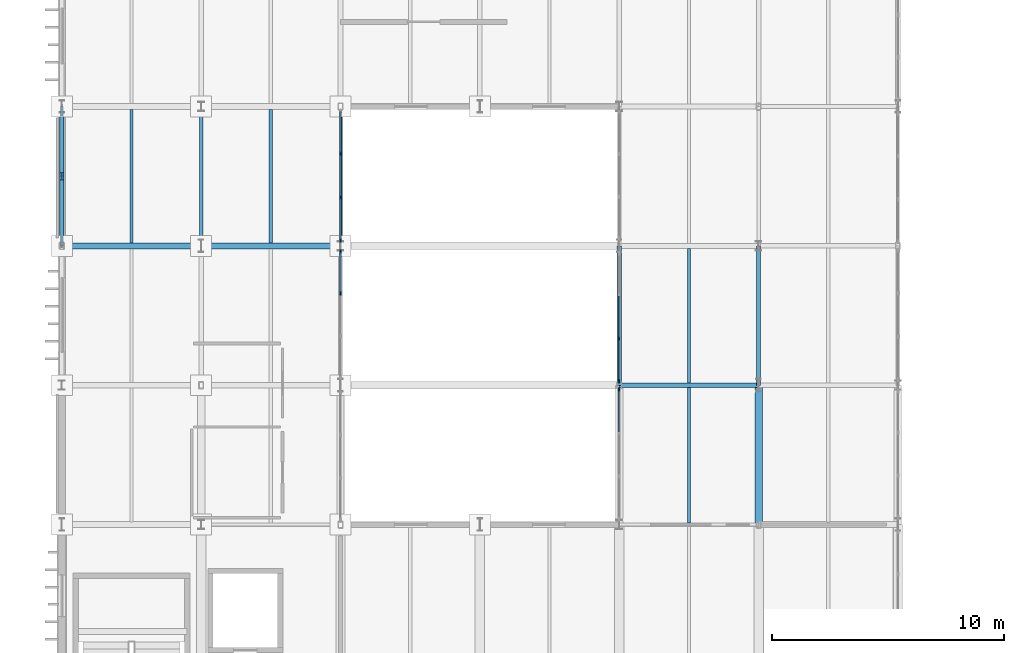
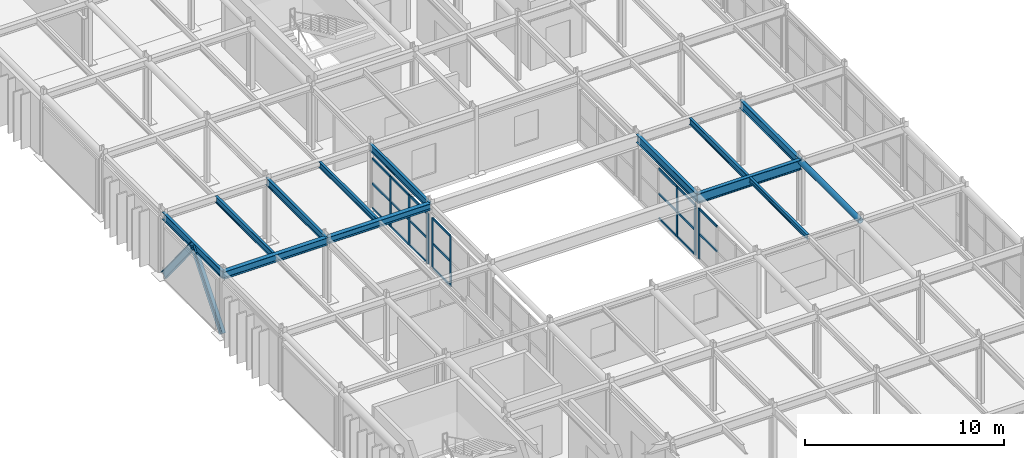
# One storey, part 37 of 116: 30 members, 13 beams, 4 elements without a shape of their own.
"""IFC4 building model written with IfcOpenShell, lengths in metres."""

from ifc_helpers import new_model, si_unit, direction, frame, origin, origin_2d, place, context, subcontext, project, spatial, rectangle, hollow_circle, i_section, extrude, material, material_profile, profile_set, type_object, element, aggregate, save


model = new_model("IFC4")

# Units and contexts
model_context = context("Model", 3, precision=1e-05, world=origin(), true_north=direction((0.0, 1.0)))
body_context = subcontext(model_context, "Body", "Model", "MODEL_VIEW")
ifc_project = project(units=[si_unit("LENGTHUNIT", "METRE"), si_unit("AREAUNIT", "SQUARE_METRE"), si_unit("VOLUMEUNIT", "CUBIC_METRE"), si_unit("PLANEANGLEUNIT", "RADIAN"), si_unit("MASSUNIT", "GRAM", prefix="KILO")], contexts=[model_context])

# Site, building, storey
site_placement = place(None, origin())
site = spatial("IfcSite", under=ifc_project, at=site_placement, CompositionType="ELEMENT")
building_placement = place(site_placement, origin())
building = spatial("IfcBuilding", under=site, at=building_placement, Name="Varnakota Square Police Headquarters", CompositionType="ELEMENT")
storey_placement = place(building_placement, frame((0.0, 0.0, 9.300048828125)))
storey = spatial("IfcBuildingStorey", under=building, at=storey_placement, Name="L02", CompositionType="ELEMENT", Elevation=9.300048828125)

# Beams
ifc_material_1 = material(Name="Steel IS 2062 Grade 350", Category="steel")
ifc_material_profile_1 = material_profile(ifc_material_1, hollow_circle(Radius=0.161865234375, WallThickness=0.0126953125, at=origin_2d()), Name="CHS 323.9x12.7")
ifc_profile_set_1 = profile_set([ifc_material_profile_1], Name="Steel IS 2062 Grade 350")
beam_type_1 = type_object("IfcBeamType", Name="BM-ARC-CHS324", PredefinedType="BEAM", material=ifc_profile_set_1)
beam_1_placement = place(storey_placement, frame((36.0, 39.0, 3.738037109375), z_axis=(0.0, 1.0, 0.0), x_axis=(-1.0, 0.0, 0.0)))
element("IfcBeam", 1, at=beam_1_placement, inside=storey, type_object=beam_type_1, Name="BMG-L02-2174", PredefinedType="BEAM", context=body_context, shape_type="SweptSolid", body=[
    extrude(hollow_circle(Radius=0.161865234375, WallThickness=0.0126953125, at=origin_2d()), origin(), (0.0, 0.0, 1.0), 6.0),
])
ifc_material_profile_2 = material_profile(ifc_material_1, i_section(OverallWidth=0.25, OverallDepth=0.39990234375, WebThickness=0.010498046875, FlangeThickness=0.0126953125, FilletRadius=0.013916015625, at=origin_2d()), Name="ISHB 400")
ifc_profile_set_2 = profile_set([ifc_material_profile_2], Name="Steel IS 2062 Grade 350")
beam_type_2 = type_object("IfcBeamType", Name="BM-ISHB400", PredefinedType="BEAM", material=ifc_profile_set_2)
beam_2_placement = place(storey_placement, frame((12.0, 51.0, 3.699951171875), z_axis=(1.0, 0.0, 0.0), x_axis=(0.0, 1.0, 0.0)))
element("IfcBeam", 2, at=beam_2_placement, inside=storey, type_object=beam_type_2, Name="BMG-L02-1990", PredefinedType="BEAM", context=body_context, shape_type="SweptSolid", body=[
    extrude(i_section(OverallWidth=0.25, OverallDepth=0.39990234375, WebThickness=0.010498046875, FlangeThickness=0.0126953125, FilletRadius=0.013916015625, at=origin_2d()), origin(), (0.0, 0.0, 1.0), 6.0),
])
ifc_material_profile_3 = material_profile(ifc_material_1, i_section(OverallWidth=0.25, OverallDepth=0.449951171875, WebThickness=0.01123046875, FlangeThickness=0.013671875, FilletRadius=0.014892578125, at=origin_2d()), Name="ISHB 450")
ifc_profile_set_3 = profile_set([ifc_material_profile_3], Name="Steel IS 2062 Grade 350")
beam_type_3 = type_object("IfcBeamType", Name="BM-ISHB450", PredefinedType="BEAM", material=ifc_profile_set_3)
beam_3_placement = place(storey_placement, frame((6.0, 51.0, 3.675048828125), z_axis=(1.0, 0.0, 0.0), x_axis=(0.0, 1.0, 0.0)))
element("IfcBeam", 3, at=beam_3_placement, inside=storey, type_object=beam_type_3, Name="BMG-L02-1989", PredefinedType="BEAM", context=body_context, shape_type="SweptSolid", body=[
    extrude(i_section(OverallWidth=0.25, OverallDepth=0.449951171875, WebThickness=0.01123046875, FlangeThickness=0.013671875, FilletRadius=0.014892578125, at=origin_2d()), origin(), (0.0, 0.0, 1.0), 6.0),
])
ifc_material_profile_4 = material_profile(ifc_material_1, i_section(OverallWidth=0.139892578125, OverallDepth=0.300048828125, WebThickness=0.0078125, FlangeThickness=0.01318359375, FilletRadius=0.013916015625, at=origin_2d()), Name="ISMB 300")
ifc_profile_set_4 = profile_set([ifc_material_profile_4], Name="Steel IS 2062 Grade 350")
beam_type_4 = type_object("IfcBeamType", Name="BM-ISMB300", PredefinedType="JOIST", material=ifc_profile_set_4)
beam_4_placement = place(storey_placement, frame((33.0, 39.072998046875, 3.75), z_axis=(0.0, 1.0, 0.0), x_axis=(-1.0, 0.0, 0.0)))
element("IfcBeam", 4, at=beam_4_placement, inside=storey, type_object=beam_type_4, Name="BMG-L02-2351", PredefinedType="JOIST", context=body_context, shape_type="SweptSolid", body=[
    extrude(i_section(OverallWidth=0.139892578125, OverallDepth=0.300048828125, WebThickness=0.0078125, FlangeThickness=0.01318359375, FilletRadius=0.013916015625, at=origin_2d()), origin(), (0.0, 0.0, 1.0), 5.823974609375),
])
ifc_material_profile_5 = material_profile(ifc_material_1, i_section(OverallWidth=0.139892578125, OverallDepth=0.35009765625, WebThickness=0.008056640625, FlangeThickness=0.01416015625, FilletRadius=0.013916015625, at=origin_2d()), Name="ISMB 350")
ifc_profile_set_5 = profile_set([ifc_material_profile_5], Name="Steel IS 2062 Grade 350")
beam_type_5 = type_object("IfcBeamType", Name="BM-ISMB350", PredefinedType="JOIST", material=ifc_profile_set_5)
beam_5_placement = place(storey_placement, frame((15.0, 51.123046875, 3.724853515625), z_axis=(0.0, 1.0, 0.0), x_axis=(-1.0, 0.0, 0.0)))
element("IfcBeam", 5, at=beam_5_placement, inside=storey, type_object=beam_type_5, Name="BMG-L02-2326", PredefinedType="JOIST", context=body_context, shape_type="SweptSolid", body=[
    extrude(i_section(OverallWidth=0.139892578125, OverallDepth=0.35009765625, WebThickness=0.008056640625, FlangeThickness=0.01416015625, FilletRadius=0.013916015625, at=origin_2d()), origin(), (0.0, 0.0, 1.0), 5.75390625),
])
ifc_material_profile_6 = material_profile(ifc_material_1, i_section(OverallWidth=0.139892578125, OverallDepth=0.39990234375, WebThickness=0.0087890625, FlangeThickness=0.01611328125, FilletRadius=0.013916015625, at=origin_2d()), Name="ISMB 400")
ifc_profile_set_6 = profile_set([ifc_material_profile_6], Name="Steel IS 2062 Grade 350")
beam_type_6 = type_object("IfcBeamType", Name="BM-ISMB400", PredefinedType="JOIST", material=ifc_profile_set_6)
beam_6_placement = place(storey_placement, frame((9.0, 51.123046875, 3.699951171875), z_axis=(0.0, 1.0, 0.0), x_axis=(-1.0, 0.0, 0.0)))
element("IfcBeam", 6, at=beam_6_placement, inside=storey, type_object=beam_type_6, Name="BMG-L02-2315", PredefinedType="JOIST", context=body_context, shape_type="SweptSolid", body=[
    extrude(i_section(OverallWidth=0.139892578125, OverallDepth=0.39990234375, WebThickness=0.0087890625, FlangeThickness=0.01611328125, FilletRadius=0.013916015625, at=origin_2d()), origin(), (0.0, 0.0, 1.0), 5.75390625),
])
beam_7_placement = place(storey_placement, frame((33.0, 45.10302734375, 3.699951171875), z_axis=(0.0, 1.0, 0.0), x_axis=(-1.0, 0.0, 0.0)))
element("IfcBeam", 7, at=beam_7_placement, inside=storey, type_object=beam_type_6, Name="BMG-L02-2352", PredefinedType="JOIST", context=body_context, shape_type="SweptSolid", body=[
    extrude(i_section(OverallWidth=0.139892578125, OverallDepth=0.39990234375, WebThickness=0.0087890625, FlangeThickness=0.01611328125, FilletRadius=0.013916015625, at=origin_2d()), origin(), (0.0, 0.0, 1.0), 5.7939453125),
])
ifc_material_profile_7 = material_profile(ifc_material_1, i_section(OverallWidth=0.14990234375, OverallDepth=0.449951171875, WebThickness=0.009521484375, FlangeThickness=0.017333984375, FilletRadius=0.014892578125, at=origin_2d()), Name="ISMB 450")
ifc_profile_set_7 = profile_set([ifc_material_profile_7], Name="Steel IS 2062 Grade 350")
beam_type_7 = type_object("IfcBeamType", Name="BM-ISMB450", PredefinedType="BEAM", material=ifc_profile_set_7)
for number, where, z_axis, x_axis, name in (
    (8, (6.0, 51.0, 3.675048828125), (0.0, 1.0, 0.0), (-1.0, 0.0, 0.0), "BMG-L02-2109"),
    (9, (12.0, 51.0, 3.675048828125), (0.0, 1.0, 0.0), (-1.0, 0.0, 0.0), "BMG-L02-2126"),
    (10, (18.0, 51.0, 3.675048828125), (0.0, 1.0, 0.0), (-1.0, 0.0, 0.0), "BMG-L02-2140"),
):
    element("IfcBeam", number, at=place(storey_placement, frame(where, z_axis=z_axis, x_axis=x_axis)), inside=storey, type_object=beam_type_7, Name=name, PredefinedType="BEAM", context=body_context, shape_type="SweptSolid", body=[
        extrude(i_section(OverallWidth=0.14990234375, OverallDepth=0.449951171875, WebThickness=0.009521484375, FlangeThickness=0.017333984375, FilletRadius=0.014892578125, at=origin_2d()), origin(), (0.0, 0.0, 1.0), 6.0),
    ])
ifc_material_profile_8 = material_profile(ifc_material_1, i_section(OverallWidth=0.179931640625, OverallDepth=0.5, WebThickness=0.01025390625, FlangeThickness=0.01708984375, FilletRadius=0.01708984375, at=origin_2d()), Name="ISMB 500")
ifc_profile_set_8 = profile_set([ifc_material_profile_8], Name="Steel IS 2062 Grade 350")
beam_type_8 = type_object("IfcBeamType", Name="BM-ISMB500", PredefinedType="BEAM", material=ifc_profile_set_8)
for number, where, z_axis, x_axis, name in (
    (11, (30.0, 45.0, 3.64990234375), (0.0, 1.0, 0.0), (-1.0, 0.0, 0.0), "BMG-L02-2161"),
    (12, (36.0, 45.0, 3.64990234375), (0.0, 1.0, 0.0), (-1.0, 0.0, 0.0), "BMG-L02-2175"),
):
    element("IfcBeam", number, at=place(storey_placement, frame(where, z_axis=z_axis, x_axis=x_axis)), inside=storey, type_object=beam_type_8, Name=name, PredefinedType="BEAM", context=body_context, shape_type="SweptSolid", body=[
        extrude(i_section(OverallWidth=0.179931640625, OverallDepth=0.5, WebThickness=0.01025390625, FlangeThickness=0.01708984375, FilletRadius=0.01708984375, at=origin_2d()), origin(), (0.0, 0.0, 1.0), 6.0),
    ])
ifc_material_profile_9 = material_profile(ifc_material_1, i_section(OverallWidth=0.2099609375, OverallDepth=0.60009765625, WebThickness=0.011962890625, FlangeThickness=0.020751953125, FilletRadius=0.02001953125, at=origin_2d()), Name="ISMB 600")
ifc_profile_set_9 = profile_set([ifc_material_profile_9], Name="Steel IS 2062 Grade 350")
beam_type_9 = type_object("IfcBeamType", Name="BM-ISMB600", PredefinedType="BEAM", material=ifc_profile_set_9)
beam_8_placement = place(storey_placement, frame((30.0, 45.0, 3.599853515625), z_axis=(1.0, 0.0, 0.0), x_axis=(0.0, 1.0, 0.0)))
element("IfcBeam", 13, at=beam_8_placement, inside=storey, type_object=beam_type_9, Name="BMG-L02-1984", PredefinedType="BEAM", context=body_context, shape_type="SweptSolid", body=[
    extrude(i_section(OverallWidth=0.2099609375, OverallDepth=0.60009765625, WebThickness=0.011962890625, FlangeThickness=0.020751953125, FilletRadius=0.02001953125, at=origin_2d()), origin(), (0.0, 0.0, 1.0), 6.0),
])

# Curtain wall, member
ifc_material_2 = material(Name="Anodised Aluminium Framing", Category="aluminium")
curtain_wall_type = type_object("IfcCurtainWallType", Name="CW-SYS-F", PredefinedType="NOTDEFINED", material=ifc_material_2)
curtain_wall_1_placement = place(storey_placement, origin())
curtain_wall_1 = element("IfcCurtainWall", 14, at=curtain_wall_1_placement, inside=storey, type_object=curtain_wall_type, Name="Unitised curtain wall CWG-L02-162", PredefinedType="NOTDEFINED")
ifc_material_3 = material(Name="Anodised Aluminium 6063-T6", Category="aluminium")
ifc_material_profile_10 = material_profile(ifc_material_3, rectangle(XDim=0.06494140625, YDim=0.159912109375, at=origin_2d()), Name="ALU MULLION 65x160")
ifc_profile_set_10 = profile_set([ifc_material_profile_10], Name="Anodised Aluminium 6063-T6")
member_type_1 = type_object("IfcMemberType", Name="CWM-150", PredefinedType="MULLION", material=ifc_profile_set_10)
member_1_placement = place(storey_placement, frame((30.0, 44.8125, 0.0), z_axis=(0.0, 0.0, 1.0), x_axis=(-1.0, 0.0, 0.0)))
member_1 = element("IfcMember", 15, at=member_1_placement, type_object=member_type_1, Name="CWG-L02-162 mullion 4", PredefinedType="MULLION", context=body_context, shape_type="SweptSolid", body=[
    extrude(rectangle(XDim=0.06494140625, YDim=0.159912109375, at=origin_2d()), origin(), (0.0, 0.0, 1.0), 3.08984375),
])

# Curtain wall, members
curtain_wall_2_placement = place(storey_placement, origin())
curtain_wall_2 = element("IfcCurtainWall", 16, at=curtain_wall_2_placement, inside=storey, type_object=curtain_wall_type, Name="Unitised curtain wall CWG-L02-163", PredefinedType="NOTDEFINED")
member_2_placement = place(storey_placement, frame((18.0, 48.956787109375, 0.0), z_axis=(0.0, 0.0, 1.0), x_axis=(-1.0, 0.0, 0.0)))
member_2 = element("IfcMember", 17, at=member_2_placement, type_object=member_type_1, Name="CWG-L02-163 mullion 3", PredefinedType="MULLION", context=body_context, shape_type="SweptSolid", body=[
    extrude(rectangle(XDim=0.06494140625, YDim=0.159912109375, at=origin_2d()), origin(), (0.0, 0.0, 1.0), 3.08984375),
])
member_3_placement = place(storey_placement, frame((18.0, 50.762451171875, 0.0), z_axis=(0.0, 0.0, 1.0), x_axis=(-1.0, 0.0, 0.0)))
member_3 = element("IfcMember", 18, at=member_3_placement, type_object=member_type_1, Name="CWG-L02-163 mullion 4", PredefinedType="MULLION", context=body_context, shape_type="SweptSolid", body=[
    extrude(rectangle(XDim=0.06494140625, YDim=0.159912109375, at=origin_2d()), origin(), (0.0, 0.0, 1.0), 3.08984375),
])

curtain_wall_3_placement = place(storey_placement, origin())
curtain_wall_3 = element("IfcCurtainWall", 19, at=curtain_wall_3_placement, inside=storey, type_object=curtain_wall_type, Name="Unitised curtain wall CWG-L02-164", PredefinedType="NOTDEFINED")
member_4_placement = place(storey_placement, frame((30.0, 45.1875, 0.0), z_axis=(0.0, 0.0, 1.0), x_axis=(-1.0, 0.0, 0.0)))
member_4 = element("IfcMember", 20, at=member_4_placement, type_object=member_type_1, Name="CWG-L02-164 mullion 1", PredefinedType="MULLION", context=body_context, shape_type="SweptSolid", body=[
    extrude(rectangle(XDim=0.06494140625, YDim=0.159912109375, at=origin_2d()), origin(), (0.0, 0.0, 1.0), 3.08984375),
])
member_5_placement = place(storey_placement, frame((30.0, 47.010009765625, 0.0), z_axis=(0.0, 0.0, 1.0), x_axis=(-1.0, 0.0, 0.0)))
member_5 = element("IfcMember", 21, at=member_5_placement, type_object=member_type_1, Name="CWG-L02-164 mullion 2", PredefinedType="MULLION", context=body_context, shape_type="SweptSolid", body=[
    extrude(rectangle(XDim=0.06494140625, YDim=0.159912109375, at=origin_2d()), origin(), (0.0, 0.0, 1.0), 3.08984375),
])

curtain_wall_4_placement = place(storey_placement, origin())
curtain_wall_4 = element("IfcCurtainWall", 22, at=curtain_wall_4_placement, inside=storey, type_object=curtain_wall_type, Name="Unitised curtain wall CWG-L02-165", PredefinedType="NOTDEFINED")
member_6_placement = place(storey_placement, frame((18.0, 51.237548828125, 0.0), z_axis=(0.0, 0.0, 1.0), x_axis=(-1.0, 0.0, 0.0)))
member_6 = element("IfcMember", 23, at=member_6_placement, type_object=member_type_1, Name="CWG-L02-165 mullion 1", PredefinedType="MULLION", context=body_context, shape_type="SweptSolid", body=[
    extrude(rectangle(XDim=0.06494140625, YDim=0.159912109375, at=origin_2d()), origin(), (0.0, 0.0, 1.0), 3.08984375),
])
member_7_placement = place(storey_placement, frame((18.0, 53.0849609375, 0.0), z_axis=(0.0, 0.0, 1.0), x_axis=(-1.0, 0.0, 0.0)))
member_7 = element("IfcMember", 24, at=member_7_placement, type_object=member_type_1, Name="CWG-L02-165 mullion 2", PredefinedType="MULLION", context=body_context, shape_type="SweptSolid", body=[
    extrude(rectangle(XDim=0.06494140625, YDim=0.159912109375, at=origin_2d()), origin(), (0.0, 0.0, 1.0), 3.08984375),
])
member_8_placement = place(storey_placement, frame((18.0, 54.965087890625, 0.0), z_axis=(0.0, 0.0, 1.0), x_axis=(-1.0, 0.0, 0.0)))
member_8 = element("IfcMember", 25, at=member_8_placement, type_object=member_type_1, Name="CWG-L02-165 mullion 3", PredefinedType="MULLION", context=body_context, shape_type="SweptSolid", body=[
    extrude(rectangle(XDim=0.06494140625, YDim=0.159912109375, at=origin_2d()), origin(), (0.0, 0.0, 1.0), 3.08984375),
])

# Member
ifc_material_profile_11 = material_profile(ifc_material_3, rectangle(XDim=0.06494140625, YDim=0.1298828125, at=origin_2d()), Name="ALU TRANSOM 65x130")
ifc_profile_set_11 = profile_set([ifc_material_profile_11], Name="Anodised Aluminium 6063-T6")
member_type_2 = type_object("IfcMemberType", Name="CWT-120", PredefinedType="USERDEFINED", material=ifc_profile_set_11)
member_9_placement = place(storey_placement, frame((30.0, 42.99755859375, 1.544921875), z_axis=(0.0, 1.0, 0.0), x_axis=(-1.0, 0.0, 0.0)))
member_9 = element("IfcMember", 26, at=member_9_placement, type_object=member_type_2, Name="CWG-L02-162 transom 3.2", ObjectType="TRANSOM", PredefinedType="USERDEFINED", context=body_context, shape_type="SweptSolid", body=[
    extrude(rectangle(XDim=0.06494140625, YDim=0.1298828125, at=origin_2d()), origin(), (0.0, 0.0, 1.0), 1.782470703125),
])

member_10_placement = place(storey_placement, frame((30.0, 42.99755859375, 3.057373046875), z_axis=(0.0, 1.0, 0.0), x_axis=(-1.0, 0.0, 0.0)))
member_10 = element("IfcMember", 27, at=member_10_placement, type_object=member_type_2, Name="CWG-L02-162 transom 3.3", ObjectType="TRANSOM", PredefinedType="USERDEFINED", context=body_context, shape_type="SweptSolid", body=[
    extrude(rectangle(XDim=0.06494140625, YDim=0.1298828125, at=origin_2d()), origin(), (0.0, 0.0, 1.0), 1.782470703125),
])

aggregate(curtain_wall_1, [member_1, member_9, member_10])

member_11_placement = place(storey_placement, frame((18.0, 48.9892578125, 0.032470703125), z_axis=(0.0, 1.0, 0.0), x_axis=(-1.0, 0.0, 0.0)))
member_11 = element("IfcMember", 28, at=member_11_placement, type_object=member_type_2, Name="CWG-L02-163 transom 3.1", ObjectType="TRANSOM", PredefinedType="USERDEFINED", context=body_context, shape_type="SweptSolid", body=[
    extrude(rectangle(XDim=0.06494140625, YDim=0.1298828125, at=origin_2d()), origin(), (0.0, 0.0, 1.0), 1.74072265625),
])

member_12_placement = place(storey_placement, frame((18.0, 48.9892578125, 1.544921875), z_axis=(0.0, 1.0, 0.0), x_axis=(-1.0, 0.0, 0.0)))
member_12 = element("IfcMember", 29, at=member_12_placement, type_object=member_type_2, Name="CWG-L02-163 transom 3.2", ObjectType="TRANSOM", PredefinedType="USERDEFINED", context=body_context, shape_type="SweptSolid", body=[
    extrude(rectangle(XDim=0.06494140625, YDim=0.1298828125, at=origin_2d()), origin(), (0.0, 0.0, 1.0), 1.74072265625),
])

member_13_placement = place(storey_placement, frame((18.0, 48.9892578125, 3.057373046875), z_axis=(0.0, 1.0, 0.0), x_axis=(-1.0, 0.0, 0.0)))
member_13 = element("IfcMember", 30, at=member_13_placement, type_object=member_type_2, Name="CWG-L02-163 transom 3.3", ObjectType="TRANSOM", PredefinedType="USERDEFINED", context=body_context, shape_type="SweptSolid", body=[
    extrude(rectangle(XDim=0.06494140625, YDim=0.1298828125, at=origin_2d()), origin(), (0.0, 0.0, 1.0), 1.74072265625),
])

aggregate(curtain_wall_2, [member_2, member_3, member_11, member_12, member_13])

member_14_placement = place(storey_placement, frame((30.0, 45.219970703125, 0.032470703125), z_axis=(0.0, 1.0, 0.0), x_axis=(-1.0, 0.0, 0.0)))
member_14 = element("IfcMember", 31, at=member_14_placement, type_object=member_type_2, Name="CWG-L02-164 transom 1.1", ObjectType="TRANSOM", PredefinedType="USERDEFINED", context=body_context, shape_type="SweptSolid", body=[
    extrude(rectangle(XDim=0.06494140625, YDim=0.1298828125, at=origin_2d()), origin(), (0.0, 0.0, 1.0), 1.757568359375),
])

member_15_placement = place(storey_placement, frame((30.0, 45.219970703125, 1.544921875), z_axis=(0.0, 1.0, 0.0), x_axis=(-1.0, 0.0, 0.0)))
member_15 = element("IfcMember", 32, at=member_15_placement, type_object=member_type_2, Name="CWG-L02-164 transom 1.2", ObjectType="TRANSOM", PredefinedType="USERDEFINED", context=body_context, shape_type="SweptSolid", body=[
    extrude(rectangle(XDim=0.06494140625, YDim=0.1298828125, at=origin_2d()), origin(), (0.0, 0.0, 1.0), 1.757568359375),
])

member_16_placement = place(storey_placement, frame((30.0, 45.219970703125, 3.057373046875), z_axis=(0.0, 1.0, 0.0), x_axis=(-1.0, 0.0, 0.0)))
member_16 = element("IfcMember", 33, at=member_16_placement, type_object=member_type_2, Name="CWG-L02-164 transom 1.3", ObjectType="TRANSOM", PredefinedType="USERDEFINED", context=body_context, shape_type="SweptSolid", body=[
    extrude(rectangle(XDim=0.06494140625, YDim=0.1298828125, at=origin_2d()), origin(), (0.0, 0.0, 1.0), 1.757568359375),
])

member_17_placement = place(storey_placement, frame((30.0, 47.04248046875, 0.032470703125), z_axis=(0.0, 1.0, 0.0), x_axis=(-1.0, 0.0, 0.0)))
member_17 = element("IfcMember", 34, at=member_17_placement, type_object=member_type_2, Name="CWG-L02-164 transom 2.1", ObjectType="TRANSOM", PredefinedType="USERDEFINED", context=body_context, shape_type="SweptSolid", body=[
    extrude(rectangle(XDim=0.06494140625, YDim=0.1298828125, at=origin_2d()), origin(), (0.0, 0.0, 1.0), 1.7900390625),
])

member_18_placement = place(storey_placement, frame((30.0, 47.04248046875, 1.544921875), z_axis=(0.0, 1.0, 0.0), x_axis=(-1.0, 0.0, 0.0)))
member_18 = element("IfcMember", 35, at=member_18_placement, type_object=member_type_2, Name="CWG-L02-164 transom 2.2", ObjectType="TRANSOM", PredefinedType="USERDEFINED", context=body_context, shape_type="SweptSolid", body=[
    extrude(rectangle(XDim=0.06494140625, YDim=0.1298828125, at=origin_2d()), origin(), (0.0, 0.0, 1.0), 1.7900390625),
])

member_19_placement = place(storey_placement, frame((30.0, 47.04248046875, 3.057373046875), z_axis=(0.0, 1.0, 0.0), x_axis=(-1.0, 0.0, 0.0)))
member_19 = element("IfcMember", 36, at=member_19_placement, type_object=member_type_2, Name="CWG-L02-164 transom 2.3", ObjectType="TRANSOM", PredefinedType="USERDEFINED", context=body_context, shape_type="SweptSolid", body=[
    extrude(rectangle(XDim=0.06494140625, YDim=0.1298828125, at=origin_2d()), origin(), (0.0, 0.0, 1.0), 1.7900390625),
])

aggregate(curtain_wall_3, [member_4, member_5, member_14, member_15, member_16, member_17, member_18, member_19])

member_20_placement = place(storey_placement, frame((18.0, 51.27001953125, 0.032470703125), z_axis=(0.0, 1.0, 0.0), x_axis=(-1.0, 0.0, 0.0)))
member_20 = element("IfcMember", 37, at=member_20_placement, type_object=member_type_2, Name="CWG-L02-165 transom 1.1", ObjectType="TRANSOM", PredefinedType="USERDEFINED", context=body_context, shape_type="SweptSolid", body=[
    extrude(rectangle(XDim=0.06494140625, YDim=0.1298828125, at=origin_2d()), origin(), (0.0, 0.0, 1.0), 1.782470703125),
])

member_21_placement = place(storey_placement, frame((18.0, 51.27001953125, 1.544921875), z_axis=(0.0, 1.0, 0.0), x_axis=(-1.0, 0.0, 0.0)))
member_21 = element("IfcMember", 38, at=member_21_placement, type_object=member_type_2, Name="CWG-L02-165 transom 1.2", ObjectType="TRANSOM", PredefinedType="USERDEFINED", context=body_context, shape_type="SweptSolid", body=[
    extrude(rectangle(XDim=0.06494140625, YDim=0.1298828125, at=origin_2d()), origin(), (0.0, 0.0, 1.0), 1.782470703125),
])

member_22_placement = place(storey_placement, frame((18.0, 51.27001953125, 3.057373046875), z_axis=(0.0, 1.0, 0.0), x_axis=(-1.0, 0.0, 0.0)))
member_22 = element("IfcMember", 39, at=member_22_placement, type_object=member_type_2, Name="CWG-L02-165 transom 1.3", ObjectType="TRANSOM", PredefinedType="USERDEFINED", context=body_context, shape_type="SweptSolid", body=[
    extrude(rectangle(XDim=0.06494140625, YDim=0.1298828125, at=origin_2d()), origin(), (0.0, 0.0, 1.0), 1.782470703125),
])

member_23_placement = place(storey_placement, frame((18.0, 53.117431640625, 0.032470703125), z_axis=(0.0, 1.0, 0.0), x_axis=(-1.0, 0.0, 0.0)))
member_23 = element("IfcMember", 40, at=member_23_placement, type_object=member_type_2, Name="CWG-L02-165 transom 2.1", ObjectType="TRANSOM", PredefinedType="USERDEFINED", context=body_context, shape_type="SweptSolid", body=[
    extrude(rectangle(XDim=0.06494140625, YDim=0.1298828125, at=origin_2d()), origin(), (0.0, 0.0, 1.0), 1.815185546875),
])

member_24_placement = place(storey_placement, frame((18.0, 53.117431640625, 1.544921875), z_axis=(0.0, 1.0, 0.0), x_axis=(-1.0, 0.0, 0.0)))
member_24 = element("IfcMember", 41, at=member_24_placement, type_object=member_type_2, Name="CWG-L02-165 transom 2.2", ObjectType="TRANSOM", PredefinedType="USERDEFINED", context=body_context, shape_type="SweptSolid", body=[
    extrude(rectangle(XDim=0.06494140625, YDim=0.1298828125, at=origin_2d()), origin(), (0.0, 0.0, 1.0), 1.815185546875),
])

member_25_placement = place(storey_placement, frame((18.0, 53.117431640625, 3.057373046875), z_axis=(0.0, 1.0, 0.0), x_axis=(-1.0, 0.0, 0.0)))
member_25 = element("IfcMember", 42, at=member_25_placement, type_object=member_type_2, Name="CWG-L02-165 transom 2.3", ObjectType="TRANSOM", PredefinedType="USERDEFINED", context=body_context, shape_type="SweptSolid", body=[
    extrude(rectangle(XDim=0.06494140625, YDim=0.1298828125, at=origin_2d()), origin(), (0.0, 0.0, 1.0), 1.815185546875),
])

member_26_placement = place(storey_placement, frame((18.0, 54.99755859375, 0.032470703125), z_axis=(0.0, 1.0, 0.0), x_axis=(-1.0, 0.0, 0.0)))
member_26 = element("IfcMember", 43, at=member_26_placement, type_object=member_type_2, Name="CWG-L02-165 transom 3.1", ObjectType="TRANSOM", PredefinedType="USERDEFINED", context=body_context, shape_type="SweptSolid", body=[
    extrude(rectangle(XDim=0.06494140625, YDim=0.1298828125, at=origin_2d()), origin(), (0.0, 0.0, 1.0), 1.782470703125),
])

member_27_placement = place(storey_placement, frame((18.0, 54.99755859375, 1.544921875), z_axis=(0.0, 1.0, 0.0), x_axis=(-1.0, 0.0, 0.0)))
member_27 = element("IfcMember", 44, at=member_27_placement, type_object=member_type_2, Name="CWG-L02-165 transom 3.2", ObjectType="TRANSOM", PredefinedType="USERDEFINED", context=body_context, shape_type="SweptSolid", body=[
    extrude(rectangle(XDim=0.06494140625, YDim=0.1298828125, at=origin_2d()), origin(), (0.0, 0.0, 1.0), 1.782470703125),
])

member_28_placement = place(storey_placement, frame((18.0, 54.99755859375, 3.057373046875), z_axis=(0.0, 1.0, 0.0), x_axis=(-1.0, 0.0, 0.0)))
member_28 = element("IfcMember", 45, at=member_28_placement, type_object=member_type_2, Name="CWG-L02-165 transom 3.3", ObjectType="TRANSOM", PredefinedType="USERDEFINED", context=body_context, shape_type="SweptSolid", body=[
    extrude(rectangle(XDim=0.06494140625, YDim=0.1298828125, at=origin_2d()), origin(), (0.0, 0.0, 1.0), 1.782470703125),
])

aggregate(curtain_wall_4, [member_6, member_7, member_8, member_20, member_21, member_22, member_23, member_24, member_25, member_26, member_27, member_28])

# Members
ifc_material_profile_12 = material_profile(ifc_material_1, i_section(OverallWidth=0.199951171875, OverallDepth=0.39990234375, WebThickness=0.008544921875, FlangeThickness=0.012939453125, FilletRadius=0.012939453125, at=origin_2d()), Name="ISWB 400")
ifc_profile_set_12 = profile_set([ifc_material_profile_12], Name="Steel IS 2062 Grade 350")
member_type_3 = type_object("IfcMemberType", Name="MEM-BR-ISWB400", PredefinedType="BRACE", material=ifc_profile_set_12)
for number, where, z_axis, x_axis, name in (
    (46, (6.0, 51.050048828125, 0.02001953125), (0.0, 0.630679081609, 0.776043746203), (-1.0, 0.0, 0.0), "Lateral brace BF4 L02 left"),
    (47, (6.0, 56.949951171875, 0.02001953125), (0.0, -0.630679081609, 0.776043746203), (1.0, 0.0, 0.0), "Lateral brace BF4 L02 right"),
):
    element("IfcMember", number, at=place(storey_placement, frame(where, z_axis=z_axis, x_axis=x_axis)), inside=storey, type_object=member_type_3, Name=name, PredefinedType="BRACE", context=body_context, shape_type="SweptSolid", body=[
        extrude(i_section(OverallWidth=0.199951171875, OverallDepth=0.39990234375, WebThickness=0.008544921875, FlangeThickness=0.012939453125, FilletRadius=0.012939453125, at=origin_2d()), origin(), (0.0, 0.0, 1.0), 4.677490234375),
    ])

save(model, "model.ifc")
